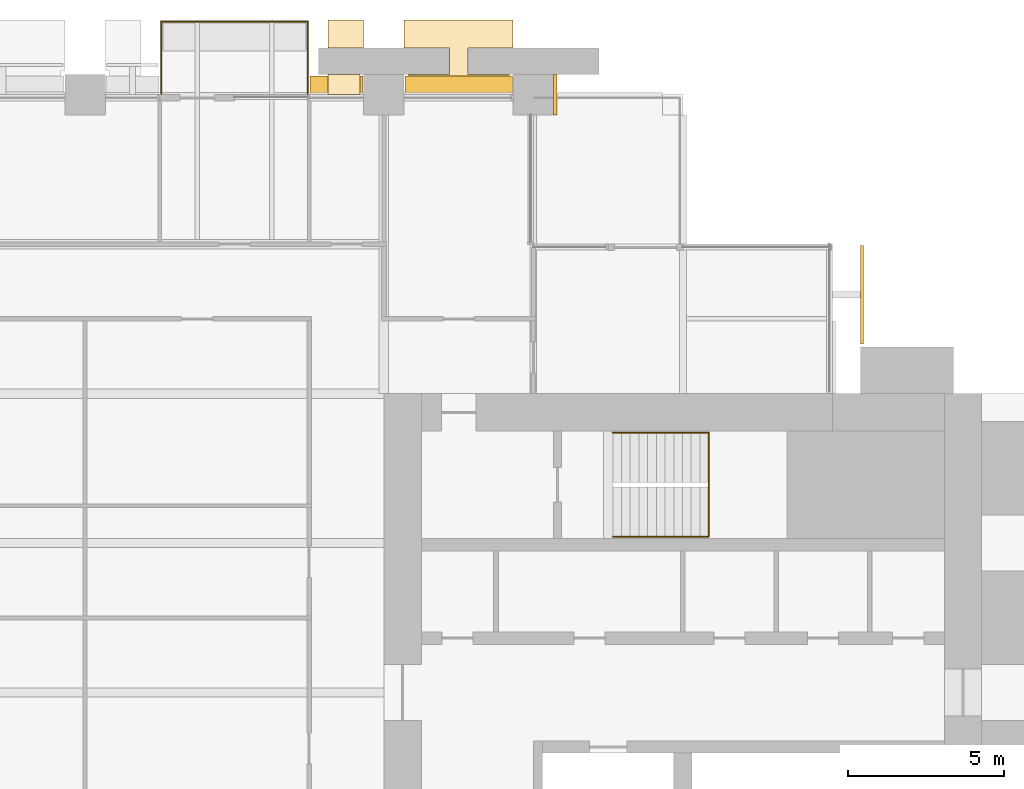
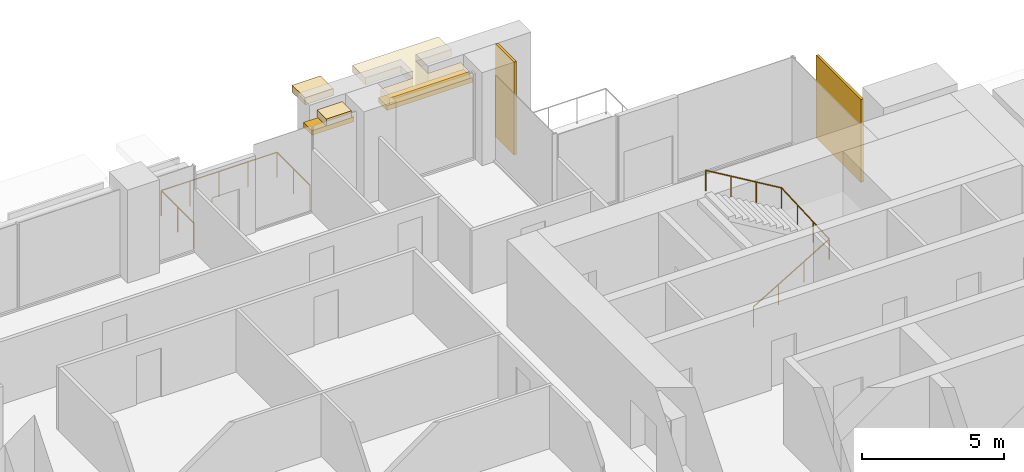
# One storey, part 15 of 15: 5 coverings, 2 railings, 2 shading devices.
"""IFC4 building model written with IfcOpenShell, lengths in metres."""

from ifc_helpers import new_model, si_unit, direction, frame, origin, origin_2d, place, context, subcontext, project, spatial, polyline, rectangle, circle, outline, extrude, material, layer, layer_set, type_object, element, save


model = new_model("IFC4")

# Units and contexts
model_context = context("Model", 3, precision=1e-05, world=origin(), true_north=direction((0.0, 1.0)))
body_context = subcontext(model_context, "Body", "Model", "MODEL_VIEW")
ifc_project = project(units=[si_unit("LENGTHUNIT", "METRE"), si_unit("AREAUNIT", "SQUARE_METRE"), si_unit("VOLUMEUNIT", "CUBIC_METRE"), si_unit("PLANEANGLEUNIT", "RADIAN"), si_unit("MASSUNIT", "GRAM", prefix="KILO")], contexts=[model_context])

# Site, building, storey
site_placement = place(None, origin())
site = spatial("IfcSite", under=ifc_project, at=site_placement, CompositionType="ELEMENT")
building_placement = place(site_placement, origin())
building = spatial("IfcBuilding", under=site, at=building_placement, Name="Baori Bourse Tower", CompositionType="ELEMENT")
storey_placement = place(building_placement, frame((0.0, 0.0, 83.0)))
storey = spatial("IfcBuildingStorey", under=building, at=storey_placement, Name="L18", CompositionType="ELEMENT", Elevation=83.0)

# Coverings
ifc_material_1 = material(Name="Pale anodised aluminium", Category="aluminium")
covering_type_1 = type_object("IfcCoveringType", Name="BD1 Pale metal band", PredefinedType="CLADDING", material=ifc_material_1)
covering_1_placement = place(storey_placement, frame((0.0, 0.0, 3.39990234375)))
element("IfcCovering", 1, at=covering_1_placement, inside=storey, type_object=covering_type_1, Name="Pale projecting band L18 2", PredefinedType="CLADDING", context=body_context, shape_type="SweptSolid", body=[
    extrude(outline(polyline([(39.169921875, 48.0), (42.429931640625, 48.0), (42.429931640625, 48.64990234375), (41.10009765625, 48.64990234375), (41.10009765625, 49.5), (42.550048828125, 49.5), (42.550048828125, 50.39990234375), (39.050048828125, 50.39990234375), (39.050048828125, 49.5), (40.5, 49.5), (40.5, 48.64990234375), (39.169921875, 48.64990234375), (39.169921875, 48.0)])), origin(), (0.0, 0.0, 1.0), 0.300048828125),
])
covering_2_placement = place(storey_placement, frame((0.0, 0.0, 3.39990234375)))
element("IfcCovering", 2, at=covering_2_placement, inside=storey, type_object=covering_type_1, Name="Pale projecting band L18 3", PredefinedType="CLADDING", context=body_context, shape_type="SweptSolid", body=[
    extrude(outline(polyline([(37.75, 50.39990234375), (36.60009765625, 50.39990234375), (36.60009765625, 49.5), (37.75, 49.5), (37.75, 50.39990234375)])), origin(), (0.0, 0.0, 1.0), 0.300048828125),
])
covering_3_placement = place(storey_placement, frame((0.0, 0.0, 3.39990234375)))
element("IfcCovering", 3, at=covering_3_placement, inside=storey, type_object=covering_type_1, Name="Pale projecting band L18 4", PredefinedType="CLADDING", context=body_context, shape_type="SweptSolid", body=[
    extrude(outline(polyline([(36.60009765625, 48.0), (37.6298828125, 48.0), (37.6298828125, 48.64990234375), (36.60009765625, 48.64990234375), (36.60009765625, 48.0)])), origin(), (0.0, 0.0, 1.0), 0.300048828125),
])

# Shading devices
ifc_material_2 = material(Name="Concrete f'c 40 MPa", Category="concrete")
ifc_layer_1 = layer(ifc_material_2, 0.199951171875)
ifc_layer_set_1 = layer_set([ifc_layer_1], Name="BS1 Brise-soleil ledge")
shading_device_type = type_object("IfcShadingDeviceType", Name="BS1 Brise-soleil ledge", PredefinedType="USERDEFINED", material=ifc_layer_set_1)
shading_device_1_placement = place(storey_placement, frame((40.800048828125, 48.300048828125, 3.2001953125), z_axis=(0.0, 0.0, 1.0), x_axis=(-1.0, 0.0, 0.0)))
element("IfcShadingDevice", 4, at=shading_device_1_placement, inside=storey, type_object=shading_device_type, Name="Brise-soleil ledge L18 1", ObjectType="BRISE SOLEIL", PredefinedType="USERDEFINED", context=body_context, shape_type="SweptSolid", body=[
    extrude(rectangle(XDim=3.4599609375, YDim=0.60009765625, at=origin_2d()), origin(), (0.0, 0.0, 1.0), 0.199951171875),
])
shading_device_2_placement = place(storey_placement, frame((36.875, 48.300048828125, 3.2001953125), z_axis=(0.0, 0.0, 1.0), x_axis=(-1.0, 0.0, 0.0)))
element("IfcShadingDevice", 5, at=shading_device_2_placement, inside=storey, type_object=shading_device_type, Name="Brise-soleil ledge L18 2", ObjectType="BRISE SOLEIL", PredefinedType="USERDEFINED", context=body_context, shape_type="SweptSolid", body=[
    extrude(rectangle(XDim=1.7099609375, YDim=0.60009765625, at=origin_2d()), origin(), (0.0, 0.0, 1.0), 0.199951171875),
])

# Railings
ifc_material_3 = material(Name="Powder-coated steel balustrade", Category="steel")
railing_type_1 = type_object("IfcRailingType", Name="Core stair handrail", PredefinedType="HANDRAIL", material=ifc_material_3)
railing_1_placement = place(storey_placement, frame((45.75, 33.800048828125, 0.166748046875)))
element("IfcRailing", 6, at=railing_1_placement, inside=storey, type_object=railing_type_1, Name="L18 ST4 stair handrail 1", PredefinedType="HANDRAIL", context=body_context, shape_type="SweptSolid", body=[
    extrude(circle(Radius=0.02392578125, at=origin_2d()), frame((0.0, 0.0, 0.8759765625), z_axis=(0.859308565015, 0.0, 0.511457515432), x_axis=(0.0, 1.0, 0.0)), (0.0, 0.0, 1.0), 3.58447265625),
    extrude(circle(Radius=0.02392578125, at=origin_2d()), frame((3.080078125, 0.0, 2.708984375), z_axis=(0.0, 0.998763387249, 0.04971615724), x_axis=(-1.0, 0.0, 0.0)), (0.0, 0.0, 1.0), 3.35400390625),
    extrude(circle(Radius=0.02392578125, at=origin_2d()), frame((3.080078125, 3.349853515625, 2.8759765625), z_axis=(-0.859308565015, 0.0, 0.511457515432), x_axis=(0.0, -1.0, 0.0)), (0.0, 0.0, 1.0), 3.58447265625),
    extrude(circle(Radius=0.02099609375, at=origin_2d()), origin(), (0.0, 0.0, 1.0), 0.851806640625),
    extrude(circle(Radius=0.02099609375, at=origin_2d()), frame((1.026611328125, 0.0, 0.611083984375)), (0.0, 0.0, 1.0), 0.851806640625),
    extrude(circle(Radius=0.02099609375, at=origin_2d()), frame((2.053466796875, 0.0, 1.22216796875)), (0.0, 0.0, 1.0), 0.851806640625),
    extrude(circle(Radius=0.02099609375, at=origin_2d()), frame((3.080078125, 0.0, 1.833251953125)), (0.0, 0.0, 1.0), 0.851806640625),
    extrude(circle(Radius=0.02099609375, at=origin_2d()), frame((3.080078125, 1.11669921875, 1.888916015625)), (0.0, 0.0, 1.0), 0.851806640625),
    extrude(circle(Radius=0.02099609375, at=origin_2d()), frame((3.080078125, 2.233154296875, 1.9443359375)), (0.0, 0.0, 1.0), 0.851806640625),
    extrude(circle(Radius=0.02099609375, at=origin_2d()), frame((3.080078125, 3.349853515625, 2.0)), (0.0, 0.0, 1.0), 0.851806640625),
    extrude(circle(Radius=0.02099609375, at=origin_2d()), frame((2.053466796875, 3.349853515625, 2.611083984375)), (0.0, 0.0, 1.0), 0.851806640625),
    extrude(circle(Radius=0.02099609375, at=origin_2d()), frame((1.026611328125, 3.349853515625, 3.22216796875)), (0.0, 0.0, 1.0), 0.851806640625),
    extrude(circle(Radius=0.02099609375, at=origin_2d()), frame((0.0, 3.349853515625, 3.833251953125)), (0.0, 0.0, 1.0), 0.851806640625),
])
ifc_material_4 = material(Name="Stainless steel", Category="steel")
railing_type_2 = type_object("IfcRailingType", Name="GD1 Guard", PredefinedType="GUARDRAIL", material=ifc_material_4)
railing_2_placement = place(storey_placement, frame((31.25, 48.030029296875, 0.0)))
element("IfcRailing", 7, at=railing_2_placement, inside=storey, type_object=railing_type_2, Name="Guard balcony N L18 3", PredefinedType="GUARDRAIL", context=body_context, shape_type="SweptSolid", body=[
    extrude(circle(Radius=0.02392578125, at=origin_2d()), frame((0.0, 0.0, 1.076171875), z_axis=(0.0, 1.0, 0.0), x_axis=(-1.0, 0.0, 0.0)), (0.0, 0.0, 1.0), 2.320068359375),
    extrude(circle(Radius=0.02392578125, at=origin_2d()), frame((0.0, 2.320068359375, 1.076171875), z_axis=(1.0, 0.0, 0.0), x_axis=(0.0, 1.0, 0.0)), (0.0, 0.0, 1.0), 4.699951171875),
    extrude(circle(Radius=0.02392578125, at=origin_2d()), frame((4.699951171875, 2.320068359375, 1.076171875), z_axis=(0.0, -1.0, 0.0), x_axis=(1.0, 0.0, 0.0)), (0.0, 0.0, 1.0), 2.320068359375),
    extrude(circle(Radius=0.02099609375, at=origin_2d()), origin(), (0.0, 0.0, 1.0), 1.052001953125),
    extrude(circle(Radius=0.02099609375, at=origin_2d()), frame((0.0, 1.16015625, 0.0)), (0.0, 0.0, 1.0), 1.052001953125),
    extrude(circle(Radius=0.02099609375, at=origin_2d()), frame((0.0, 2.320068359375, 0.0)), (0.0, 0.0, 1.0), 1.052001953125),
    extrude(circle(Radius=0.02099609375, at=origin_2d()), frame((1.175048828125, 2.320068359375, 0.0)), (0.0, 0.0, 1.0), 1.052001953125),
    extrude(circle(Radius=0.02099609375, at=origin_2d()), frame((2.35009765625, 2.320068359375, 0.0)), (0.0, 0.0, 1.0), 1.052001953125),
    extrude(circle(Radius=0.02099609375, at=origin_2d()), frame((3.52490234375, 2.320068359375, 0.0)), (0.0, 0.0, 1.0), 1.052001953125),
    extrude(circle(Radius=0.02099609375, at=origin_2d()), frame((4.699951171875, 2.320068359375, 0.0)), (0.0, 0.0, 1.0), 1.052001953125),
    extrude(circle(Radius=0.02099609375, at=origin_2d()), frame((4.699951171875, 1.16015625, 0.0)), (0.0, 0.0, 1.0), 1.052001953125),
    extrude(circle(Radius=0.02099609375, at=origin_2d()), frame((4.699951171875, 0.0, 0.0)), (0.0, 0.0, 1.0), 1.052001953125),
])

# Coverings
ifc_material_5 = material(Name="Pale anodised aluminium", Category="aluminium")
ifc_layer_2 = layer(ifc_material_5, 0.10009765625)
ifc_layer_set_2 = layer_set([ifc_layer_2], Name="OS3 Outer skin screen panel")
covering_type_2 = type_object("IfcCoveringType", Name="OS3 Outer skin screen panel", PredefinedType="CLADDING", material=ifc_layer_set_2)
covering_4_placement = place(storey_placement, frame((0.0, 0.0, -0.159912109375)))
element("IfcCovering", 8, at=covering_4_placement, inside=storey, type_object=covering_type_2, Name="Outer skin screen L18 1", PredefinedType="CLADDING", context=body_context, shape_type="SweptSolid", body=[
    extrude(outline(polyline([(53.699951171875, 43.14990234375), (53.699951171875, 40.0), (53.800048828125, 40.0), (53.800048828125, 43.14990234375), (53.699951171875, 43.14990234375)])), origin(), (0.0, 0.0, 1.0), 3.559814453125),
])
ifc_material_6 = material(Name="Face brick", Category="masonry")
ifc_layer_3 = layer(ifc_material_6, 0.110107421875)
ifc_layer_set_3 = layer_set([ifc_layer_3], Name="PC1 Brick pier facing")
covering_type_3 = type_object("IfcCoveringType", Name="PC1 Brick pier facing", PredefinedType="CLADDING", material=ifc_layer_set_3)
covering_5_placement = place(storey_placement, frame((43.905029296875, 48.0, 0.0), z_axis=(0.0, 0.0, 1.0), x_axis=(1.0, 0.0, 0.0)))
element("IfcCovering", 9, at=covering_5_placement, inside=storey, type_object=covering_type_3, Name="Brick pier facing L18 1", PredefinedType="CLADDING", context=body_context, shape_type="SweptSolid", body=[
    extrude(rectangle(XDim=0.110107421875, YDim=1.300048828125, at=origin_2d()), origin(), (0.0, 0.0, 1.0), 4.0),
])

save(model, "model.ifc")
